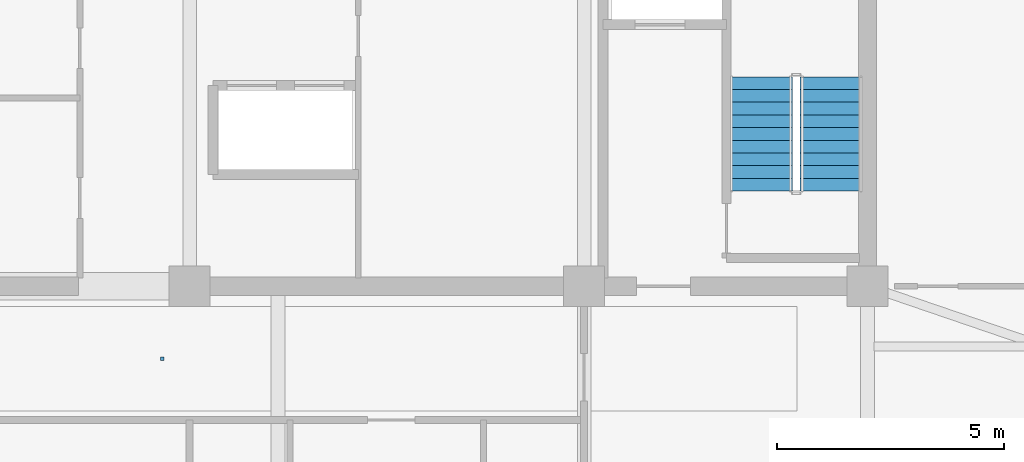
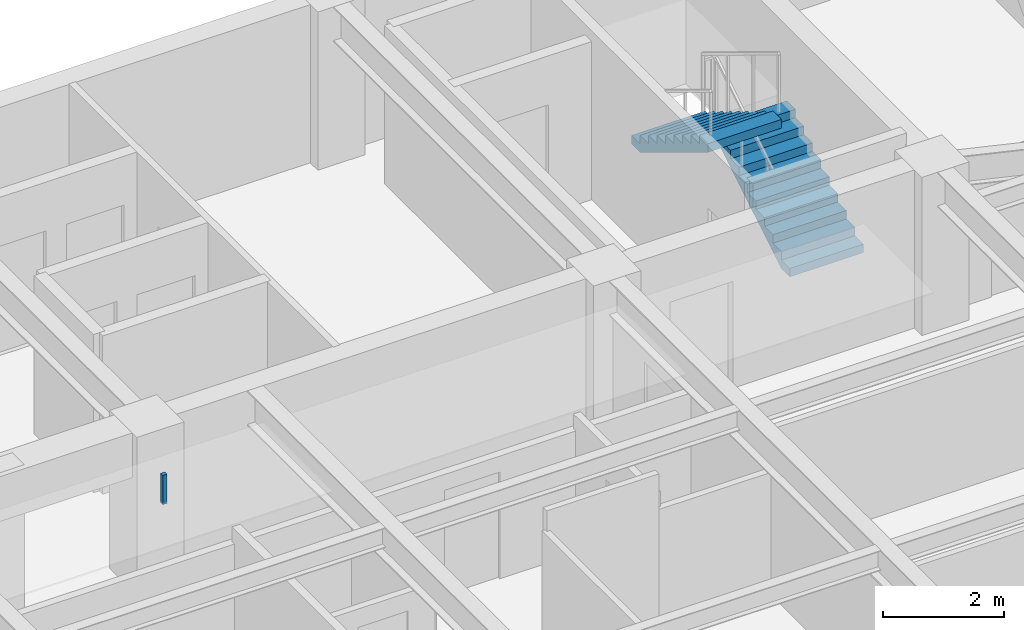
# One storey, part 9 of 12: 2 stair flights, 1 discrete accessory, 1 element without a shape of its own.
"""IFC4 building model written with IfcOpenShell, lengths in metres."""

import ifcopenshell
import ifcopenshell.guid

model = None  # the IFC model being written
_history = None  # IfcOwnerHistory: only IFC2X3 demands one
_inside = {}  # id of a spatial element -> (the spatial element, [elements in it])
_under = {}  # id of a project, library or spatial element -> (it, [spatial elements below it])
_declared = {}  # id of a project -> (the project, [libraries it declares])
_typed = {}  # id of a type object -> (the type object, [elements of that type])
_made_of = {}  # id of a material, layer set ... -> (it, [elements and type objects made of it])


def new_model(schema):
    """Start an empty IFC model of exactly this schema.

    Asked for "IFC4X3", IfcOpenShell would pick the latest addendum, in which some entities
    have other attributes; the version numbers below select the first issue.
    IFC2X3 requires an IfcOwnerHistory on every rooted entity: one is made here for all.
    """
    global model, _history
    if schema == "IFC4X3":
        model = ifcopenshell.file(schema_version=(4, 3, 0, 0))
    else:
        model = ifcopenshell.file(schema=schema)
    _inside.clear()
    _under.clear()
    _declared.clear()
    _typed.clear()
    _made_of.clear()
    _history = None
    if model.schema == "IFC2X3":
        org = make("IfcOrganization", Name="unknown")
        user = make(
            "IfcPersonAndOrganization",
            ThePerson=make("IfcPerson", FamilyName="unknown"),
            TheOrganization=org,
        )
        app = make(
            "IfcApplication",
            ApplicationDeveloper=org,
            Version="unknown",
            ApplicationFullName="unknown",
            ApplicationIdentifier="unknown",
        )
        _history = make(
            "IfcOwnerHistory",
            OwningUser=user,
            OwningApplication=app,
            ChangeAction="ADDED",
            CreationDate=0,
        )
    return model


def make(cls, **values):
    """One entity of the class cls with the attributes given. An attribute that is None is left unset."""
    return model.create_entity(
        cls, **{name: value for name, value in values.items() if value is not None}
    )


def rooted(cls, **values):
    """An entity with a GlobalId (a new one), such as an element, a storey or a relation."""
    return make(cls, GlobalId=ifcopenshell.guid.new(), OwnerHistory=_history, **values)


def si_unit(unit_type, name, prefix=None):
    """IfcSIUnit, for example si_unit("LENGTHUNIT", "METRE", prefix="MILLI")."""
    return make("IfcSIUnit", UnitType=unit_type, Prefix=prefix, Name=name)


def assignment(units):
    """IfcUnitAssignment: the units of a project."""
    return None if units is None else make("IfcUnitAssignment", Units=units)


def point(xyz):
    """IfcCartesianPoint."""
    return None if xyz is None else make("IfcCartesianPoint", Coordinates=xyz)


def direction(xyz):
    """IfcDirection."""
    return None if xyz is None else make("IfcDirection", DirectionRatios=xyz)


def frame(location, z_axis=None, x_axis=None):
    """IfcAxis2Placement3D, a coordinate frame: its origin and axes. An axis left out is left unset."""
    return make(
        "IfcAxis2Placement3D",
        Location=point(location),
        Axis=direction(z_axis),
        RefDirection=direction(x_axis),
    )


def frame_2d(location, x_axis=None):
    """IfcAxis2Placement2D, a coordinate frame in the plane: its origin and x axis."""
    return make(
        "IfcAxis2Placement2D", Location=point(location), RefDirection=direction(x_axis)
    )


def origin():
    """The frame at (0, 0, 0) with its axes left unset."""
    return frame((0.0, 0.0, 0.0))


def origin_2d():
    """The frame at (0, 0) in the plane with its x axis left unset."""
    return frame_2d((0.0, 0.0))


def place(relative_to, where):
    """IfcLocalPlacement: puts the frame where relative to a parent placement (None: the world)."""
    return make(
        "IfcLocalPlacement", PlacementRelTo=relative_to, RelativePlacement=where
    )


def context(
    kind, dimensions, precision=None, world=None, true_north=None, identifier=None
):
    """IfcGeometricRepresentationContext, for example the 3D "Model" context."""
    return make(
        "IfcGeometricRepresentationContext",
        ContextIdentifier=identifier,
        ContextType=kind,
        CoordinateSpaceDimension=dimensions,
        Precision=precision,
        WorldCoordinateSystem=world,
        TrueNorth=true_north,
    )


def subcontext(parent, identifier, kind, view, scale=None):
    """IfcGeometricRepresentationSubContext, for example "Body" below "Model"."""
    return make(
        "IfcGeometricRepresentationSubContext",
        ContextIdentifier=identifier,
        ContextType=kind,
        ParentContext=parent,
        TargetScale=scale,
        TargetView=view,
    )


def project(units=None, contexts=None):
    """IfcProject with its units and contexts."""
    return rooted(
        "IfcProject",
        Name="project",
        RepresentationContexts=contexts,
        UnitsInContext=assignment(units),
    )


def spatial(cls, under=None, at=None, **own):
    """A site, building, storey or space (cls), placed at a placement, below another one or the project."""
    s = rooted(cls, ObjectPlacement=at, **own)
    if under is not None:
        _under.setdefault(under.id(), (under, []))[1].append(s)
    return s


def polyline(points):
    """IfcPolyline through the points."""
    return make("IfcPolyline", Points=[point(p) for p in points])


def profile(cls, at=None, kind="AREA", **sizes):
    """A parametric profile (cls). Its sizes go by their IFC names, for example OverallWidth=200.0."""
    return make(cls, ProfileType=kind, Position=at, **sizes)


def rectangle(**sizes):
    """IfcRectangleProfileDef."""
    return profile("IfcRectangleProfileDef", **sizes)


def outline(outer, holes=None, kind="AREA"):
    """IfcArbitraryClosedProfileDef: a profile drawn as a closed curve; with holes, ...WithVoids."""
    if holes is None:
        return make("IfcArbitraryClosedProfileDef", ProfileType=kind, OuterCurve=outer)
    return make(
        "IfcArbitraryProfileDefWithVoids",
        ProfileType=kind,
        OuterCurve=outer,
        InnerCurves=holes,
    )


def extrude(swept, where, along, depth):
    """IfcExtrudedAreaSolid: the profile swept, set in the frame where, extruded along a direction by depth."""
    return make(
        "IfcExtrudedAreaSolid",
        SweptArea=swept,
        Position=where,
        ExtrudedDirection=direction(along),
        Depth=depth,
    )


def shape(context_of_items, identifier, shape_type, items):
    """IfcShapeRepresentation: the items that make up one representation, for example the "Body"."""
    return make(
        "IfcShapeRepresentation",
        ContextOfItems=context_of_items,
        RepresentationIdentifier=identifier,
        RepresentationType=shape_type,
        Items=items,
    )


def source(mapping_origin, context_of_items, identifier, shape_type, items):
    """IfcRepresentationMap: a shape defined once, which mapped items show again and again."""
    return make(
        "IfcRepresentationMap",
        MappingOrigin=mapping_origin,
        MappedRepresentation=shape(context_of_items, identifier, shape_type, items),
    )


def transform(
    local_origin,
    x_axis=None,
    y_axis=None,
    z_axis=None,
    scale=None,
    scale2=None,
    scale3=None,
    uniform=True,
):
    """IfcCartesianTransformationOperator3D, or its non-uniform kind. x_axis, y_axis, z_axis: its Axis1, 2, 3."""
    if uniform:
        return make(
            "IfcCartesianTransformationOperator3D",
            Axis1=direction(x_axis),
            Axis2=direction(y_axis),
            LocalOrigin=point(local_origin),
            Scale=scale,
            Axis3=direction(z_axis),
        )
    return make(
        "IfcCartesianTransformationOperator3DnonUniform",
        Axis1=direction(x_axis),
        Axis2=direction(y_axis),
        LocalOrigin=point(local_origin),
        Scale=scale,
        Axis3=direction(z_axis),
        Scale2=scale2,
        Scale3=scale3,
    )


def mapped(mapping_source, mapping_target):
    """IfcMappedItem: shows the shape of a source again, moved by a transform."""
    return make(
        "IfcMappedItem", MappingSource=mapping_source, MappingTarget=mapping_target
    )


def material(Name=None, Category=None):
    """IfcMaterial."""
    return make("IfcMaterial", Name=Name, Category=Category)


def made_of(thing, what):
    """Note that an element or type object is made of a material, layer set ...; save() writes the relation."""
    if what is not None:
        _made_of.setdefault(what.id(), (what, []))[1].append(thing)
    return thing


def type_object(cls, material=None, **own):
    """A type object (cls), such as IfcWallType, which elements share."""
    return made_of(rooted(cls, **own), material)


def element(
    cls,
    number,
    at=None,
    inside=None,
    cuts=None,
    type_object=None,
    material=None,
    context=None,
    identifier="Body",
    shape_type=None,
    held_by="IfcProductDefinitionShape",
    body=None,
    shapes=None,
    **own,
):
    """One element of the class cls, such as IfcWall. Its Tag is "e" and its number.

    at: its placement. inside: the storey or other place that contains it. cuts: it is an
    opening in that element (IfcRelVoidsElement). A single representation is given by context,
    identifier, shape_type and body (its items); several are given by shapes. held_by: the class
    of the entity that holds the representations. save() writes the other relations.
    """
    e = rooted(cls, Tag="e%d" % number, ObjectPlacement=at, **own)
    if body is not None:
        shapes = [shape(context, identifier, shape_type, body)]
    if shapes is not None:
        e.Representation = make(held_by, Representations=shapes)
    if inside is not None:
        _inside.setdefault(inside.id(), (inside, []))[1].append(e)
    if cuts is not None:
        rooted(
            "IfcRelVoidsElement", RelatingBuildingElement=cuts, RelatedOpeningElement=e
        )
    if type_object is not None:
        _typed.setdefault(type_object.id(), (type_object, []))[1].append(e)
    return made_of(e, material)


def aggregate(whole, parts):
    """IfcRelAggregates: a whole, such as a stair, and the parts it consists of."""
    return rooted("IfcRelAggregates", RelatingObject=whole, RelatedObjects=parts)


def save(model, path):
    """Write the relations noted so far, then the file.

    IfcRelAggregates (storeys below a building ...), IfcRelContainedInSpatialStructure (elements
    in a storey), IfcRelDefinesByType, IfcRelAssociatesMaterial and IfcRelDeclares: one each for
    every whole, place, type object, material and project.
    """
    for whole, parts in _under.values():
        aggregate(whole, parts)
    for where, things in _inside.values():
        rooted(
            "IfcRelContainedInSpatialStructure",
            RelatedElements=things,
            RelatingStructure=where,
        )
    for kind, things in _typed.values():
        rooted("IfcRelDefinesByType", RelatedObjects=things, RelatingType=kind)
    for what, things in _made_of.values():
        rooted("IfcRelAssociatesMaterial", RelatedObjects=things, RelatingMaterial=what)
    for by, libraries in _declared.values():
        rooted("IfcRelDeclares", RelatingContext=by, RelatedDefinitions=libraries)
    model.write(path)


model = new_model("IFC4")

# Units and contexts
model_context = context("Model", 3, precision=1e-05, world=origin(), true_north=direction((0.0, 1.0)))
body_context = subcontext(model_context, "Body", "Model", "MODEL_VIEW")
ifc_project = project(units=[si_unit("LENGTHUNIT", "METRE"), si_unit("AREAUNIT", "SQUARE_METRE"), si_unit("VOLUMEUNIT", "CUBIC_METRE"), si_unit("PLANEANGLEUNIT", "RADIAN"), si_unit("MASSUNIT", "GRAM", prefix="KILO")], contexts=[model_context])

# Site, building, storey
site_placement = place(None, origin())
site = spatial("IfcSite", under=ifc_project, at=site_placement, CompositionType="ELEMENT")
building_placement = place(site_placement, origin())
building = spatial("IfcBuilding", under=site, at=building_placement, Name="Giltprow Tower", CompositionType="ELEMENT")
storey_placement = place(building_placement, frame((0.0, 0.0, 342.5)))
storey = spatial("IfcBuildingStorey", under=building, at=storey_placement, Name="L89", CompositionType="ELEMENT", Elevation=342.5)

# Stair, stair flights
ifc_material_1 = material(Name="Concrete C40", Category="concrete")
stair_type = type_object("IfcStairType", Name="STR-ST-3", PredefinedType="HALF_TURN_STAIR", material=ifc_material_1)
stair_placement = place(storey_placement, origin())
stair = element("IfcStair", 1, at=stair_placement, inside=storey, type_object=stair_type, Name="L89 Core Exit Stair ST-3", PredefinedType="HALF_TURN_STAIR")
stair_flight_type = type_object("IfcStairFlightType", Name="SFL-ST-3", PredefinedType="STRAIGHT", material=ifc_material_1)
stair_flight_1_placement = place(storey_placement, frame((49.760009765625, 39.550048828125, 0.0), z_axis=(0.0, 0.0, 1.0), x_axis=(0.0, 1.0, 0.0)))
stair_flight_1 = element("IfcStairFlight", 2, at=stair_flight_1_placement, type_object=stair_flight_type, Name="ST-3 flight 1", NumberOfRisers=10, NumberOfTreads=9, PredefinedType="STRAIGHT", RiserHeight=0.17, TreadLength=0.28, context=body_context, shape_type="SweptSolid", body=[
    extrude(outline(polyline([(0.0, 0.0), (0.0, 0.169921875), (0.280029296875, 0.169921875), (0.280029296875, 0.340087890625), (0.56005859375, 0.340087890625), (0.56005859375, 0.510009765625), (0.840087890625, 0.510009765625), (0.840087890625, 0.679931640625), (1.1201171875, 0.679931640625), (1.1201171875, 0.85009765625), (1.39990234375, 0.85009765625), (1.39990234375, 1.02001953125), (1.679931640625, 1.02001953125), (1.679931640625, 1.18994140625), (1.9599609375, 1.18994140625), (1.9599609375, 1.360107421875), (2.239990234375, 1.360107421875), (2.239990234375, 1.530029296875), (2.52001953125, 1.530029296875), (2.52001953125, 1.699951171875), (2.52001953125, 1.354736328125), (0.288818359375, 0.0), (0.0, 0.0)])), frame((0.0, 0.699951171875, 0.0), z_axis=(0.0, -1.0, 0.0), x_axis=(1.0, 0.0, 0.0)), (0.0, 0.0, 1.0), 1.39990234375),
])
stair_flight_2_placement = place(storey_placement, frame((48.199951171875, 42.070068359375, 1.699951171875), z_axis=(0.0, 0.0, 1.0), x_axis=(0.0, -1.0, 0.0)))
stair_flight_2 = element("IfcStairFlight", 3, at=stair_flight_2_placement, type_object=stair_flight_type, Name="ST-3 flight 2", NumberOfRisers=10, NumberOfTreads=9, PredefinedType="STRAIGHT", RiserHeight=0.17, TreadLength=0.28, context=body_context, shape_type="SweptSolid", body=[
    extrude(outline(polyline([(0.0, 0.0), (0.0, 0.169921875), (0.280029296875, 0.169921875), (0.280029296875, 0.340087890625), (0.56005859375, 0.340087890625), (0.56005859375, 0.510009765625), (0.840087890625, 0.510009765625), (0.840087890625, 0.679931640625), (1.1201171875, 0.679931640625), (1.1201171875, 0.85009765625), (1.39990234375, 0.85009765625), (1.39990234375, 1.02001953125), (1.679931640625, 1.02001953125), (1.679931640625, 1.18994140625), (1.9599609375, 1.18994140625), (1.9599609375, 1.360107421875), (2.239990234375, 1.360107421875), (2.239990234375, 1.530029296875), (2.52001953125, 1.530029296875), (2.52001953125, 1.699951171875), (2.52001953125, 1.354736328125), (0.288818359375, 0.0), (0.0, 0.0)])), frame((0.0, 0.699951171875, 0.0), z_axis=(0.0, -1.0, 0.0), x_axis=(1.0, 0.0, 0.0)), (0.0, 0.0, 1.0), 1.39990234375),
])
aggregate(stair, [stair_flight_1, stair_flight_2])

# Discrete accessory
ifc_material_2 = material(Name="Structural steel Q355B", Category="steel")
discrete_accessory_type = type_object("IfcDiscreteAccessoryType", Name="ACC-CLG-HANGER", PredefinedType="BRACKET", material=ifc_material_2)
shared_shape = source(origin(), body_context, "Body", "SweptSolid", [
    extrude(rectangle(XDim=0.080078125, YDim=0.080078125, at=origin_2d()), origin(), (0.0, 0.0, 1.0), 0.5849609375),
])
discrete_accessory_placement = place(storey_placement, frame((35.0, 35.85009765625, 2.62060546875), z_axis=(0.0, 0.0, 1.0), x_axis=(1.0, 0.0, 0.0)))
element("IfcDiscreteAccessory", 4, at=discrete_accessory_placement, inside=storey, type_object=discrete_accessory_type, Name="L89 Residence Gallery Ceiling Suspension Hanger", PredefinedType="BRACKET", context=body_context, shape_type="MappedRepresentation", body=[
    mapped(shared_shape, transform((0.0, 0.0, 0.0), x_axis=(1.0, 0.0, 0.0), y_axis=(0.0, 1.0, 0.0), z_axis=(0.0, 0.0, 1.0), scale=1.0)),
])

save(model, "model.ifc")
